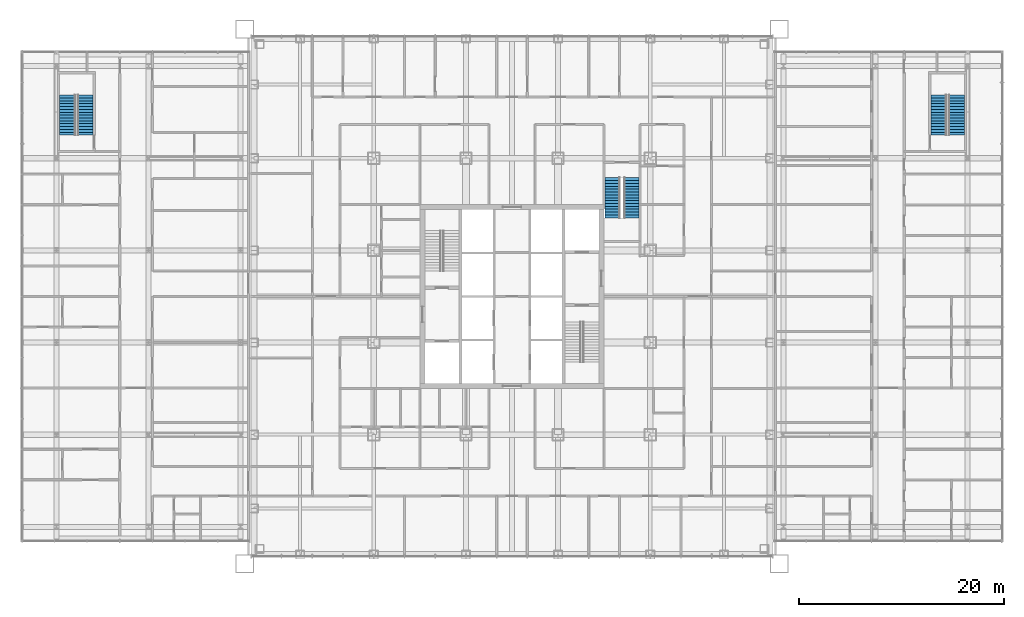
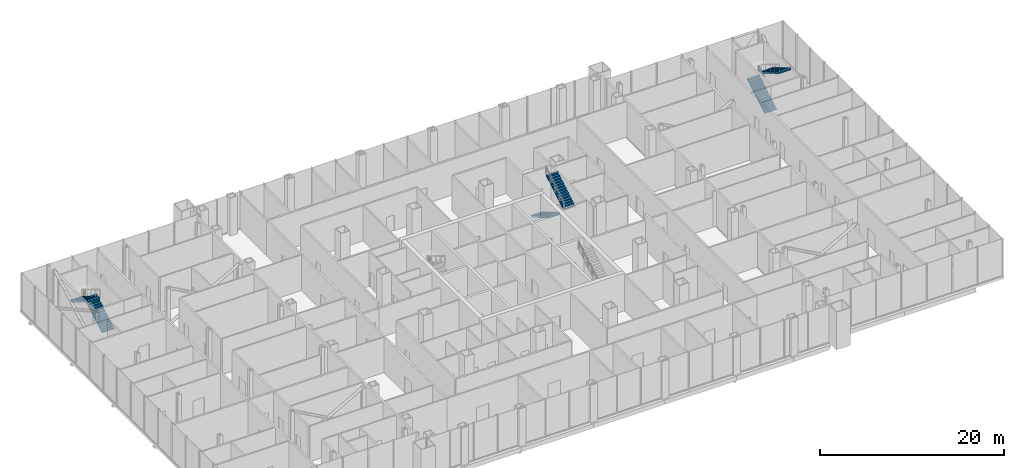
# One storey, part 20 of 25: 6 stair flights, 3 elements without a shape of their own.
"""IFC4 building model written with IfcOpenShell, lengths in metres."""

from ifc_helpers import new_model, si_unit, direction, frame, origin, place, context, subcontext, project, spatial, polyline, outline, extrude, material, type_object, element, aggregate, save


model = new_model("IFC4")

# Units and contexts
model_context = context("Model", 3, precision=1e-05, world=origin(), true_north=direction((0.0, 1.0)))
body_context = subcontext(model_context, "Body", "Model", "MODEL_VIEW")
ifc_project = project(units=[si_unit("LENGTHUNIT", "METRE"), si_unit("AREAUNIT", "SQUARE_METRE"), si_unit("VOLUMEUNIT", "CUBIC_METRE"), si_unit("PLANEANGLEUNIT", "RADIAN"), si_unit("MASSUNIT", "GRAM", prefix="KILO")], contexts=[model_context])

# Site, building, storey
site_placement = place(None, origin())
site = spatial("IfcSite", under=ifc_project, at=site_placement, CompositionType="ELEMENT")
building_placement = place(site_placement, origin())
building = spatial("IfcBuilding", under=site, at=building_placement, Name="Malebo Sky Hospital", CompositionType="ELEMENT")
storey_placement = place(building_placement, frame((0.0, 0.0, 6.0)))
storey = spatial("IfcBuildingStorey", under=building, at=storey_placement, Name="L01", CompositionType="ELEMENT", Elevation=6.0)

# Stair, stair flights
ifc_material = material(Name="Concrete C40/50", Category="concrete")
stair_type_1 = type_object("IfcStairType", Name="HALF-TURN STAIR 1400 R167", PredefinedType="HALF_TURN_STAIR", material=ifc_material)
stair_1_placement = place(storey_placement, origin())
stair_1 = element("IfcStair", 1, at=stair_1_placement, inside=storey, type_object=stair_type_1, Name="Stair S3 L01 type ST1B", PredefinedType="HALF_TURN_STAIR")
stair_flight_type_1 = type_object("IfcStairFlightType", Name="STAIR FLIGHT 1400 R167", PredefinedType="STRAIGHT", material=ifc_material)
stair_flight_1_placement = place(storey_placement, frame((69.800048828125, 73.60009765625, 0.0), z_axis=(0.0, 0.0, 1.0), x_axis=(0.0, -1.0, 0.0)))
stair_flight_1 = element("IfcStairFlight", 2, at=stair_flight_1_placement, type_object=stair_flight_type_1, Name="S3 flight 1 type SF1B", NumberOfRisers=15, NumberOfTreads=14, PredefinedType="STRAIGHT", RiserHeight=0.166666667, TreadLength=0.28, context=body_context, shape_type="SweptSolid", body=[
    extrude(outline(polyline([(0.0, 0.0), (0.0, 0.166748046875), (0.280029296875, 0.166748046875), (0.280029296875, 0.333251953125), (0.56005859375, 0.333251953125), (0.56005859375, 0.5), (0.840087890625, 0.5), (0.840087890625, 0.666748046875), (1.1201171875, 0.666748046875), (1.1201171875, 0.833251953125), (1.39990234375, 0.833251953125), (1.39990234375, 1.0), (1.679931640625, 1.0), (1.679931640625, 1.166748046875), (1.9599609375, 1.166748046875), (1.9599609375, 1.333251953125), (2.239990234375, 1.333251953125), (2.239990234375, 1.5), (2.52001953125, 1.5), (2.52001953125, 1.666748046875), (2.800048828125, 1.666748046875), (2.800048828125, 1.833251953125), (3.080078125, 1.833251953125), (3.080078125, 2.0), (3.360107421875, 2.0), (3.360107421875, 2.166748046875), (3.639892578125, 2.166748046875), (3.639892578125, 2.333251953125), (3.919921875, 2.333251953125), (3.919921875, 2.5), (3.919921875, 2.158935546875), (0.29296875, 0.0), (0.0, 0.0)])), frame((0.0, 0.699951171875, 0.0), z_axis=(0.0, -1.0, 0.0), x_axis=(1.0, 0.0, 0.0)), (0.0, 0.0, 1.0), 1.39990234375),
])
stair_flight_2_placement = place(storey_placement, frame((71.699951171875, 69.679931640625, 2.5), z_axis=(0.0, 0.0, 1.0), x_axis=(0.0, 1.0, 0.0)))
stair_flight_2 = element("IfcStairFlight", 3, at=stair_flight_2_placement, type_object=stair_flight_type_1, Name="S3 flight 2 type SF1B", NumberOfRisers=15, NumberOfTreads=14, PredefinedType="STRAIGHT", RiserHeight=0.166666667, TreadLength=0.28, context=body_context, shape_type="SweptSolid", body=[
    extrude(outline(polyline([(0.0, 0.0), (0.0, 0.166748046875), (0.280029296875, 0.166748046875), (0.280029296875, 0.333251953125), (0.56005859375, 0.333251953125), (0.56005859375, 0.5), (0.840087890625, 0.5), (0.840087890625, 0.666748046875), (1.1201171875, 0.666748046875), (1.1201171875, 0.833251953125), (1.39990234375, 0.833251953125), (1.39990234375, 1.0), (1.679931640625, 1.0), (1.679931640625, 1.166748046875), (1.9599609375, 1.166748046875), (1.9599609375, 1.333251953125), (2.239990234375, 1.333251953125), (2.239990234375, 1.5), (2.52001953125, 1.5), (2.52001953125, 1.666748046875), (2.800048828125, 1.666748046875), (2.800048828125, 1.833251953125), (3.080078125, 1.833251953125), (3.080078125, 2.0), (3.360107421875, 2.0), (3.360107421875, 2.166748046875), (3.639892578125, 2.166748046875), (3.639892578125, 2.333251953125), (3.919921875, 2.333251953125), (3.919921875, 2.5), (3.919921875, 2.158935546875), (0.29296875, 0.0), (0.0, 0.0)])), frame((0.0, 0.699951171875, 0.0), z_axis=(0.0, -1.0, 0.0), x_axis=(1.0, 0.0, 0.0)), (0.0, 0.0, 1.0), 1.39990234375),
])
aggregate(stair_1, [stair_flight_1, stair_flight_2])

stair_type_2 = type_object("IfcStairType", Name="HALF-TURN STAIR 1500 R167", PredefinedType="HALF_TURN_STAIR", material=ifc_material)
stair_2_placement = place(storey_placement, origin())
stair_2 = element("IfcStair", 4, at=stair_2_placement, inside=storey, type_object=stair_type_2, Name="Stair WS L01 type ST1", PredefinedType="HALF_TURN_STAIR")
stair_flight_type_2 = type_object("IfcStairFlightType", Name="STAIR FLIGHT 1500 R167", PredefinedType="STRAIGHT", material=ifc_material)
stair_flight_3_placement = place(storey_placement, frame((18.35009765625, 77.75, 0.0), z_axis=(0.0, 0.0, 1.0), x_axis=(0.0, 1.0, 0.0)))
stair_flight_3 = element("IfcStairFlight", 5, at=stair_flight_3_placement, type_object=stair_flight_type_2, Name="WS flight 1 type SF1", NumberOfRisers=15, NumberOfTreads=14, PredefinedType="STRAIGHT", RiserHeight=0.166666667, TreadLength=0.28, context=body_context, shape_type="SweptSolid", body=[
    extrude(outline(polyline([(0.0, 0.0), (0.0, 0.166748046875), (0.280029296875, 0.166748046875), (0.280029296875, 0.333251953125), (0.56005859375, 0.333251953125), (0.56005859375, 0.5), (0.840087890625, 0.5), (0.840087890625, 0.666748046875), (1.1201171875, 0.666748046875), (1.1201171875, 0.833251953125), (1.39990234375, 0.833251953125), (1.39990234375, 1.0), (1.679931640625, 1.0), (1.679931640625, 1.166748046875), (1.9599609375, 1.166748046875), (1.9599609375, 1.333251953125), (2.239990234375, 1.333251953125), (2.239990234375, 1.5), (2.52001953125, 1.5), (2.52001953125, 1.666748046875), (2.800048828125, 1.666748046875), (2.800048828125, 1.833251953125), (3.080078125, 1.833251953125), (3.080078125, 2.0), (3.360107421875, 2.0), (3.360107421875, 2.166748046875), (3.639892578125, 2.166748046875), (3.639892578125, 2.333251953125), (3.919921875, 2.333251953125), (3.919921875, 2.5), (3.919921875, 2.158935546875), (0.29296875, 0.0), (0.0, 0.0)])), frame((0.0, 0.75, 0.0), z_axis=(0.0, -1.0, 0.0), x_axis=(1.0, 0.0, 0.0)), (0.0, 0.0, 1.0), 1.5),
])
stair_flight_4_placement = place(storey_placement, frame((16.550048828125, 81.669921875, 2.5), z_axis=(0.0, 0.0, 1.0), x_axis=(0.0, -1.0, 0.0)))
stair_flight_4 = element("IfcStairFlight", 6, at=stair_flight_4_placement, type_object=stair_flight_type_2, Name="WS flight 2 type SF1", NumberOfRisers=15, NumberOfTreads=14, PredefinedType="STRAIGHT", RiserHeight=0.166666667, TreadLength=0.28, context=body_context, shape_type="SweptSolid", body=[
    extrude(outline(polyline([(0.0, 0.0), (0.0, 0.166748046875), (0.280029296875, 0.166748046875), (0.280029296875, 0.333251953125), (0.56005859375, 0.333251953125), (0.56005859375, 0.5), (0.840087890625, 0.5), (0.840087890625, 0.666748046875), (1.1201171875, 0.666748046875), (1.1201171875, 0.833251953125), (1.39990234375, 0.833251953125), (1.39990234375, 1.0), (1.679931640625, 1.0), (1.679931640625, 1.166748046875), (1.9599609375, 1.166748046875), (1.9599609375, 1.333251953125), (2.239990234375, 1.333251953125), (2.239990234375, 1.5), (2.52001953125, 1.5), (2.52001953125, 1.666748046875), (2.800048828125, 1.666748046875), (2.800048828125, 1.833251953125), (3.080078125, 1.833251953125), (3.080078125, 2.0), (3.360107421875, 2.0), (3.360107421875, 2.166748046875), (3.639892578125, 2.166748046875), (3.639892578125, 2.333251953125), (3.919921875, 2.333251953125), (3.919921875, 2.5), (3.919921875, 2.158935546875), (0.29296875, 0.0), (0.0, 0.0)])), frame((0.0, 0.75, 0.0), z_axis=(0.0, -1.0, 0.0), x_axis=(1.0, 0.0, 0.0)), (0.0, 0.0, 1.0), 1.5),
])
aggregate(stair_2, [stair_flight_3, stair_flight_4])

stair_3_placement = place(storey_placement, origin())
stair_3 = element("IfcStair", 7, at=stair_3_placement, inside=storey, type_object=stair_type_2, Name="Stair ES L01 type ST1", PredefinedType="HALF_TURN_STAIR")
stair_flight_5_placement = place(storey_placement, frame((101.64990234375, 77.75, 0.0), z_axis=(0.0, 0.0, 1.0), x_axis=(0.0, 1.0, 0.0)))
stair_flight_5 = element("IfcStairFlight", 8, at=stair_flight_5_placement, type_object=stair_flight_type_2, Name="ES flight 1 type SF1", NumberOfRisers=15, NumberOfTreads=14, PredefinedType="STRAIGHT", RiserHeight=0.166666667, TreadLength=0.28, context=body_context, shape_type="SweptSolid", body=[
    extrude(outline(polyline([(0.0, 0.0), (0.0, 0.166748046875), (0.280029296875, 0.166748046875), (0.280029296875, 0.333251953125), (0.56005859375, 0.333251953125), (0.56005859375, 0.5), (0.840087890625, 0.5), (0.840087890625, 0.666748046875), (1.1201171875, 0.666748046875), (1.1201171875, 0.833251953125), (1.39990234375, 0.833251953125), (1.39990234375, 1.0), (1.679931640625, 1.0), (1.679931640625, 1.166748046875), (1.9599609375, 1.166748046875), (1.9599609375, 1.333251953125), (2.239990234375, 1.333251953125), (2.239990234375, 1.5), (2.52001953125, 1.5), (2.52001953125, 1.666748046875), (2.800048828125, 1.666748046875), (2.800048828125, 1.833251953125), (3.080078125, 1.833251953125), (3.080078125, 2.0), (3.360107421875, 2.0), (3.360107421875, 2.166748046875), (3.639892578125, 2.166748046875), (3.639892578125, 2.333251953125), (3.919921875, 2.333251953125), (3.919921875, 2.5), (3.919921875, 2.158935546875), (0.29296875, 0.0), (0.0, 0.0)])), frame((0.0, 0.75, 0.0), z_axis=(0.0, -1.0, 0.0), x_axis=(1.0, 0.0, 0.0)), (0.0, 0.0, 1.0), 1.5),
])
stair_flight_6_placement = place(storey_placement, frame((103.449951171875, 81.669921875, 2.5), z_axis=(0.0, 0.0, 1.0), x_axis=(0.0, -1.0, 0.0)))
stair_flight_6 = element("IfcStairFlight", 9, at=stair_flight_6_placement, type_object=stair_flight_type_2, Name="ES flight 2 type SF1", NumberOfRisers=15, NumberOfTreads=14, PredefinedType="STRAIGHT", RiserHeight=0.166666667, TreadLength=0.28, context=body_context, shape_type="SweptSolid", body=[
    extrude(outline(polyline([(0.0, 0.0), (0.0, 0.166748046875), (0.280029296875, 0.166748046875), (0.280029296875, 0.333251953125), (0.56005859375, 0.333251953125), (0.56005859375, 0.5), (0.840087890625, 0.5), (0.840087890625, 0.666748046875), (1.1201171875, 0.666748046875), (1.1201171875, 0.833251953125), (1.39990234375, 0.833251953125), (1.39990234375, 1.0), (1.679931640625, 1.0), (1.679931640625, 1.166748046875), (1.9599609375, 1.166748046875), (1.9599609375, 1.333251953125), (2.239990234375, 1.333251953125), (2.239990234375, 1.5), (2.52001953125, 1.5), (2.52001953125, 1.666748046875), (2.800048828125, 1.666748046875), (2.800048828125, 1.833251953125), (3.080078125, 1.833251953125), (3.080078125, 2.0), (3.360107421875, 2.0), (3.360107421875, 2.166748046875), (3.639892578125, 2.166748046875), (3.639892578125, 2.333251953125), (3.919921875, 2.333251953125), (3.919921875, 2.5), (3.919921875, 2.158935546875), (0.29296875, 0.0), (0.0, 0.0)])), frame((0.0, 0.75, 0.0), z_axis=(0.0, -1.0, 0.0), x_axis=(1.0, 0.0, 0.0)), (0.0, 0.0, 1.0), 1.5),
])
aggregate(stair_3, [stair_flight_5, stair_flight_6])

save(model, "model.ifc")
